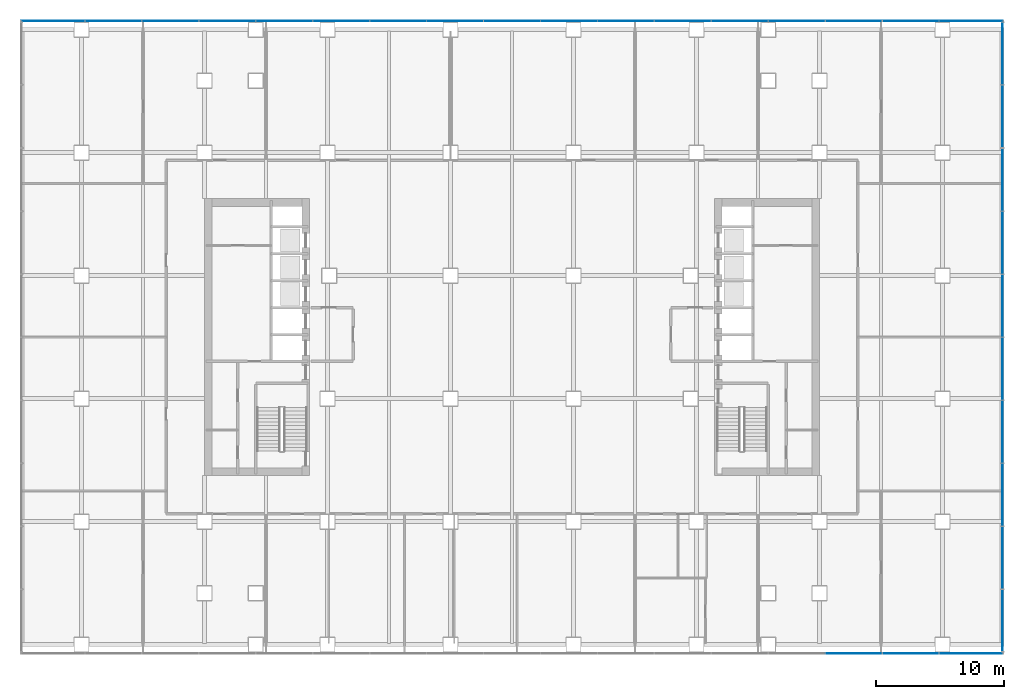
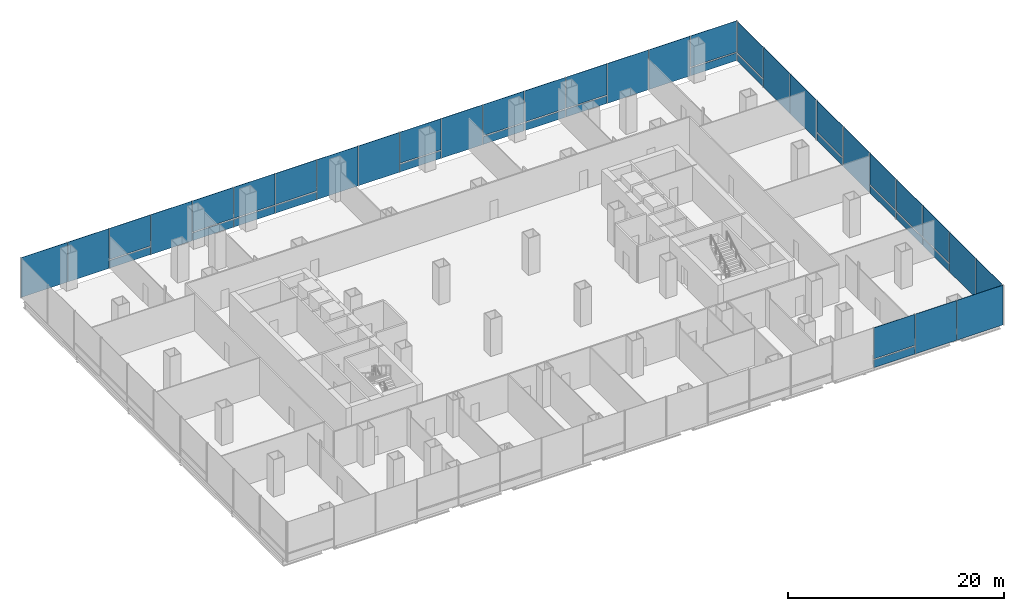
# One storey, part 15 of 23: 45 plates, 3 elements without a shape of their own.
"""IFC4 building model written with IfcOpenShell, lengths in metres."""

from ifc_helpers import new_model, si_unit, direction, frame, origin, origin_2d, place, context, subcontext, project, spatial, rectangle, extrude, material, layer, layer_set, type_object, element, aggregate, save


model = new_model("IFC4")

# Units and contexts
model_context = context("Model", 3, precision=1e-05, world=origin(), true_north=direction((0.0, 1.0)))
body_context = subcontext(model_context, "Body", "Model", "MODEL_VIEW")
ifc_project = project(units=[si_unit("LENGTHUNIT", "METRE"), si_unit("AREAUNIT", "SQUARE_METRE"), si_unit("VOLUMEUNIT", "CUBIC_METRE"), si_unit("PLANEANGLEUNIT", "RADIAN"), si_unit("MASSUNIT", "GRAM", prefix="KILO")], contexts=[model_context])

# Site, building, storey
site_placement = place(None, origin())
site = spatial("IfcSite", under=ifc_project, at=site_placement, CompositionType="ELEMENT")
building_placement = place(site_placement, origin())
building = spatial("IfcBuilding", under=site, at=building_placement, Name="Cobrizo Arcos Hotel Tower", CompositionType="ELEMENT")
storey_placement = place(building_placement, frame((0.0, 0.0, 29.0)))
storey = spatial("IfcBuildingStorey", under=building, at=storey_placement, Name="L05", CompositionType="ELEMENT", Elevation=29.0)

# Curtain wall, plates
ifc_material_1 = material(Name="Aluminium 6063-T6 anodised bronze", Category="aluminium")
curtain_wall_type_1 = type_object("IfcCurtainWallType", Name="CW-A guest facade", PredefinedType="NOTDEFINED", material=ifc_material_1)
curtain_wall_1_placement = place(storey_placement, origin())
curtain_wall_1 = element("IfcCurtainWall", 1, at=curtain_wall_1_placement, inside=storey, type_object=curtain_wall_type_1, Name="CW-A L05 N face", PredefinedType="NOTDEFINED")
ifc_material_2 = material(Name="Glass clear laminated low-e", Category="glass")
ifc_layer_1 = layer(ifc_material_2, 0.0400390625)
ifc_layer_set_1 = layer_set([ifc_layer_1], Name="CW-A glass panel")
plate_type_1 = type_object("IfcPlateType", Name="CW-A glass panel", PredefinedType="CURTAIN_PANEL", material=ifc_layer_set_1)
plate_1_placement = place(storey_placement, frame((35.839111328125, 24.675048828125, 0.990234375), z_axis=(0.0, 0.0, 1.0), x_axis=(-1.0, 0.0, 0.0)))
plate_1 = element("IfcPlate", 2, at=plate_1_placement, type_object=plate_type_1, Name="CW-A glass panel 279", PredefinedType="CURTAIN_PANEL", context=body_context, shape_type="SweptSolid", body=[
    extrude(rectangle(XDim=4.95166015625, YDim=0.0400390625, at=origin_2d()), origin(), (0.0, 0.0, 1.0), 3.510009765625),
])
plate_2_placement = place(storey_placement, frame((22.22216796875, 24.675048828125, 0.990234375), z_axis=(0.0, 0.0, 1.0), x_axis=(-1.0, 0.0, 0.0)))
plate_2 = element("IfcPlate", 3, at=plate_2_placement, type_object=plate_type_1, Name="CW-A glass panel 282", PredefinedType="CURTAIN_PANEL", context=body_context, shape_type="SweptSolid", body=[
    extrude(rectangle(XDim=4.384521484375, YDim=0.0400390625, at=origin_2d()), origin(), (0.0, 0.0, 1.0), 3.510009765625),
])
plate_3_placement = place(storey_placement, frame((-26.666748046875, 24.675048828125, 0.990234375), z_axis=(0.0, 0.0, 1.0), x_axis=(-1.0, 0.0, 0.0)))
plate_3 = element("IfcPlate", 4, at=plate_3_placement, type_object=plate_type_1, Name="CW-A glass panel 293", PredefinedType="CURTAIN_PANEL", context=body_context, shape_type="SweptSolid", body=[
    extrude(rectangle(XDim=4.384521484375, YDim=0.0400390625, at=origin_2d()), origin(), (0.0, 0.0, 1.0), 3.510009765625),
])

# Curtain wall, plate
curtain_wall_2_placement = place(storey_placement, origin())
curtain_wall_2 = element("IfcCurtainWall", 5, at=curtain_wall_2_placement, inside=storey, type_object=curtain_wall_type_1, Name="CW-A L05 S face", PredefinedType="NOTDEFINED")
plate_4_placement = place(storey_placement, frame((26.666748046875, -24.675048828125, 0.990234375), z_axis=(0.0, 0.0, 1.0), x_axis=(1.0, 0.0, 0.0)))
plate_4 = element("IfcPlate", 6, at=plate_4_placement, type_object=plate_type_1, Name="CW-A glass panel 320", PredefinedType="CURTAIN_PANEL", context=body_context, shape_type="SweptSolid", body=[
    extrude(rectangle(XDim=4.384521484375, YDim=0.0400390625, at=origin_2d()), origin(), (0.0, 0.0, 1.0), 3.510009765625),
])

# Plate
ifc_material_3 = material(Name="Aluminium composite panel pale metal", Category="aluminium")
ifc_layer_2 = layer(ifc_material_3, 0.0400390625)
ifc_layer_set_2 = layer_set([ifc_layer_2], Name="CW-A spandrel panel")
plate_type_2 = type_object("IfcPlateType", Name="CW-A spandrel panel", PredefinedType="CURTAIN_PANEL", material=ifc_layer_set_2)
plate_5_placement = place(storey_placement, frame((35.839111328125, 24.675048828125, 0.0), z_axis=(0.0, 0.0, 1.0), x_axis=(-1.0, 0.0, 0.0)))
plate_5 = element("IfcPlate", 7, at=plate_5_placement, type_object=plate_type_2, Name="CW-A spandrel panel 279", PredefinedType="CURTAIN_PANEL", context=body_context, shape_type="SweptSolid", body=[
    extrude(rectangle(XDim=4.95166015625, YDim=0.0400390625, at=origin_2d()), origin(), (0.0, 0.0, 1.0), 0.8701171875),
])

plate_6_placement = place(storey_placement, frame((31.111083984375, 24.675048828125, 0.0), z_axis=(0.0, 0.0, 1.0), x_axis=(-1.0, 0.0, 0.0)))
plate_6 = element("IfcPlate", 8, at=plate_6_placement, type_object=plate_type_2, Name="CW-A spandrel panel 280", PredefinedType="CURTAIN_PANEL", context=body_context, shape_type="SweptSolid", body=[
    extrude(rectangle(XDim=4.384521484375, YDim=0.0400390625, at=origin_2d()), origin(), (0.0, 0.0, 1.0), 4.5),
])

plate_7_placement = place(storey_placement, frame((26.666748046875, 24.675048828125, 0.0), z_axis=(0.0, 0.0, 1.0), x_axis=(-1.0, 0.0, 0.0)))
plate_7 = element("IfcPlate", 9, at=plate_7_placement, type_object=plate_type_2, Name="CW-A spandrel panel 281", PredefinedType="CURTAIN_PANEL", context=body_context, shape_type="SweptSolid", body=[
    extrude(rectangle(XDim=4.384521484375, YDim=0.0400390625, at=origin_2d()), origin(), (0.0, 0.0, 1.0), 4.5),
])

plate_8_placement = place(storey_placement, frame((22.22216796875, 24.675048828125, 0.0), z_axis=(0.0, 0.0, 1.0), x_axis=(-1.0, 0.0, 0.0)))
plate_8 = element("IfcPlate", 10, at=plate_8_placement, type_object=plate_type_2, Name="CW-A spandrel panel 282", PredefinedType="CURTAIN_PANEL", context=body_context, shape_type="SweptSolid", body=[
    extrude(rectangle(XDim=4.384521484375, YDim=0.0400390625, at=origin_2d()), origin(), (0.0, 0.0, 1.0), 0.8701171875),
])

plate_9_placement = place(storey_placement, frame((17.77783203125, 24.675048828125, 0.0), z_axis=(0.0, 0.0, 1.0), x_axis=(-1.0, 0.0, 0.0)))
plate_9 = element("IfcPlate", 11, at=plate_9_placement, type_object=plate_type_2, Name="CW-A spandrel panel 283", PredefinedType="CURTAIN_PANEL", context=body_context, shape_type="SweptSolid", body=[
    extrude(rectangle(XDim=4.384521484375, YDim=0.0400390625, at=origin_2d()), origin(), (0.0, 0.0, 1.0), 0.8701171875),
])

plate_10_placement = place(storey_placement, frame((17.77783203125, 24.675048828125, 0.990234375), z_axis=(0.0, 0.0, 1.0), x_axis=(-1.0, 0.0, 0.0)))
plate_10 = element("IfcPlate", 12, at=plate_10_placement, type_object=plate_type_2, Name="CW-A spandrel panel 283", PredefinedType="CURTAIN_PANEL", context=body_context, shape_type="SweptSolid", body=[
    extrude(rectangle(XDim=4.384521484375, YDim=0.0400390625, at=origin_2d()), origin(), (0.0, 0.0, 1.0), 3.510009765625),
])

plate_11_placement = place(storey_placement, frame((13.333251953125, 24.675048828125, 0.0), z_axis=(0.0, 0.0, 1.0), x_axis=(-1.0, 0.0, 0.0)))
plate_11 = element("IfcPlate", 13, at=plate_11_placement, type_object=plate_type_2, Name="CW-A spandrel panel 284", PredefinedType="CURTAIN_PANEL", context=body_context, shape_type="SweptSolid", body=[
    extrude(rectangle(XDim=4.384521484375, YDim=0.0400390625, at=origin_2d()), origin(), (0.0, 0.0, 1.0), 0.8701171875),
])

plate_12_placement = place(storey_placement, frame((13.333251953125, 24.675048828125, 0.990234375), z_axis=(0.0, 0.0, 1.0), x_axis=(-1.0, 0.0, 0.0)))
plate_12 = element("IfcPlate", 14, at=plate_12_placement, type_object=plate_type_2, Name="CW-A spandrel panel 284", PredefinedType="CURTAIN_PANEL", context=body_context, shape_type="SweptSolid", body=[
    extrude(rectangle(XDim=4.384521484375, YDim=0.0400390625, at=origin_2d()), origin(), (0.0, 0.0, 1.0), 3.510009765625),
])

plate_13_placement = place(storey_placement, frame((8.888916015625, 24.675048828125, 0.0), z_axis=(0.0, 0.0, 1.0), x_axis=(-1.0, 0.0, 0.0)))
plate_13 = element("IfcPlate", 15, at=plate_13_placement, type_object=plate_type_2, Name="CW-A spandrel panel 285", PredefinedType="CURTAIN_PANEL", context=body_context, shape_type="SweptSolid", body=[
    extrude(rectangle(XDim=4.384521484375, YDim=0.0400390625, at=origin_2d()), origin(), (0.0, 0.0, 1.0), 4.5),
])

plate_14_placement = place(storey_placement, frame((4.4443359375, 24.675048828125, 0.0), z_axis=(0.0, 0.0, 1.0), x_axis=(-1.0, 0.0, 0.0)))
plate_14 = element("IfcPlate", 16, at=plate_14_placement, type_object=plate_type_2, Name="CW-A spandrel panel 286", PredefinedType="CURTAIN_PANEL", context=body_context, shape_type="SweptSolid", body=[
    extrude(rectangle(XDim=4.384521484375, YDim=0.0400390625, at=origin_2d()), origin(), (0.0, 0.0, 1.0), 0.8701171875),
])

plate_15_placement = place(storey_placement, frame((4.4443359375, 24.675048828125, 0.990234375), z_axis=(0.0, 0.0, 1.0), x_axis=(-1.0, 0.0, 0.0)))
plate_15 = element("IfcPlate", 17, at=plate_15_placement, type_object=plate_type_2, Name="CW-A spandrel panel 286", PredefinedType="CURTAIN_PANEL", context=body_context, shape_type="SweptSolid", body=[
    extrude(rectangle(XDim=4.384521484375, YDim=0.0400390625, at=origin_2d()), origin(), (0.0, 0.0, 1.0), 3.510009765625),
])

plate_16_placement = place(storey_placement, frame((0.0, 24.675048828125, 0.0), z_axis=(0.0, 0.0, 1.0), x_axis=(-1.0, 0.0, 0.0)))
plate_16 = element("IfcPlate", 18, at=plate_16_placement, type_object=plate_type_2, Name="CW-A spandrel panel 287", PredefinedType="CURTAIN_PANEL", context=body_context, shape_type="SweptSolid", body=[
    extrude(rectangle(XDim=4.384521484375, YDim=0.0400390625, at=origin_2d()), origin(), (0.0, 0.0, 1.0), 4.5),
])

plate_17_placement = place(storey_placement, frame((-4.4443359375, 24.675048828125, 0.0), z_axis=(0.0, 0.0, 1.0), x_axis=(-1.0, 0.0, 0.0)))
plate_17 = element("IfcPlate", 19, at=plate_17_placement, type_object=plate_type_2, Name="CW-A spandrel panel 288", PredefinedType="CURTAIN_PANEL", context=body_context, shape_type="SweptSolid", body=[
    extrude(rectangle(XDim=4.384521484375, YDim=0.0400390625, at=origin_2d()), origin(), (0.0, 0.0, 1.0), 4.5),
])

plate_18_placement = place(storey_placement, frame((-8.888916015625, 24.675048828125, 0.0), z_axis=(0.0, 0.0, 1.0), x_axis=(-1.0, 0.0, 0.0)))
plate_18 = element("IfcPlate", 20, at=plate_18_placement, type_object=plate_type_2, Name="CW-A spandrel panel 289", PredefinedType="CURTAIN_PANEL", context=body_context, shape_type="SweptSolid", body=[
    extrude(rectangle(XDim=4.384521484375, YDim=0.0400390625, at=origin_2d()), origin(), (0.0, 0.0, 1.0), 0.8701171875),
])

plate_19_placement = place(storey_placement, frame((-8.888916015625, 24.675048828125, 0.990234375), z_axis=(0.0, 0.0, 1.0), x_axis=(-1.0, 0.0, 0.0)))
plate_19 = element("IfcPlate", 21, at=plate_19_placement, type_object=plate_type_2, Name="CW-A spandrel panel 289", PredefinedType="CURTAIN_PANEL", context=body_context, shape_type="SweptSolid", body=[
    extrude(rectangle(XDim=4.384521484375, YDim=0.0400390625, at=origin_2d()), origin(), (0.0, 0.0, 1.0), 3.510009765625),
])

plate_20_placement = place(storey_placement, frame((-13.333251953125, 24.675048828125, 0.0), z_axis=(0.0, 0.0, 1.0), x_axis=(-1.0, 0.0, 0.0)))
plate_20 = element("IfcPlate", 22, at=plate_20_placement, type_object=plate_type_2, Name="CW-A spandrel panel 290", PredefinedType="CURTAIN_PANEL", context=body_context, shape_type="SweptSolid", body=[
    extrude(rectangle(XDim=4.384521484375, YDim=0.0400390625, at=origin_2d()), origin(), (0.0, 0.0, 1.0), 0.8701171875),
])

plate_21_placement = place(storey_placement, frame((-13.333251953125, 24.675048828125, 0.990234375), z_axis=(0.0, 0.0, 1.0), x_axis=(-1.0, 0.0, 0.0)))
plate_21 = element("IfcPlate", 23, at=plate_21_placement, type_object=plate_type_2, Name="CW-A spandrel panel 290", PredefinedType="CURTAIN_PANEL", context=body_context, shape_type="SweptSolid", body=[
    extrude(rectangle(XDim=4.384521484375, YDim=0.0400390625, at=origin_2d()), origin(), (0.0, 0.0, 1.0), 3.510009765625),
])

plate_22_placement = place(storey_placement, frame((-17.77783203125, 24.675048828125, 0.0), z_axis=(0.0, 0.0, 1.0), x_axis=(-1.0, 0.0, 0.0)))
plate_22 = element("IfcPlate", 24, at=plate_22_placement, type_object=plate_type_2, Name="CW-A spandrel panel 291", PredefinedType="CURTAIN_PANEL", context=body_context, shape_type="SweptSolid", body=[
    extrude(rectangle(XDim=4.384521484375, YDim=0.0400390625, at=origin_2d()), origin(), (0.0, 0.0, 1.0), 0.8701171875),
])

plate_23_placement = place(storey_placement, frame((-17.77783203125, 24.675048828125, 0.990234375), z_axis=(0.0, 0.0, 1.0), x_axis=(-1.0, 0.0, 0.0)))
plate_23 = element("IfcPlate", 25, at=plate_23_placement, type_object=plate_type_2, Name="CW-A spandrel panel 291", PredefinedType="CURTAIN_PANEL", context=body_context, shape_type="SweptSolid", body=[
    extrude(rectangle(XDim=4.384521484375, YDim=0.0400390625, at=origin_2d()), origin(), (0.0, 0.0, 1.0), 3.510009765625),
])

plate_24_placement = place(storey_placement, frame((-22.22216796875, 24.675048828125, 0.0), z_axis=(0.0, 0.0, 1.0), x_axis=(-1.0, 0.0, 0.0)))
plate_24 = element("IfcPlate", 26, at=plate_24_placement, type_object=plate_type_2, Name="CW-A spandrel panel 292", PredefinedType="CURTAIN_PANEL", context=body_context, shape_type="SweptSolid", body=[
    extrude(rectangle(XDim=4.384521484375, YDim=0.0400390625, at=origin_2d()), origin(), (0.0, 0.0, 1.0), 4.5),
])

plate_25_placement = place(storey_placement, frame((-26.666748046875, 24.675048828125, 0.0), z_axis=(0.0, 0.0, 1.0), x_axis=(-1.0, 0.0, 0.0)))
plate_25 = element("IfcPlate", 27, at=plate_25_placement, type_object=plate_type_2, Name="CW-A spandrel panel 293", PredefinedType="CURTAIN_PANEL", context=body_context, shape_type="SweptSolid", body=[
    extrude(rectangle(XDim=4.384521484375, YDim=0.0400390625, at=origin_2d()), origin(), (0.0, 0.0, 1.0), 0.8701171875),
])

plate_26_placement = place(storey_placement, frame((-31.111083984375, 24.675048828125, 0.0), z_axis=(0.0, 0.0, 1.0), x_axis=(-1.0, 0.0, 0.0)))
plate_26 = element("IfcPlate", 28, at=plate_26_placement, type_object=plate_type_2, Name="CW-A spandrel panel 294", PredefinedType="CURTAIN_PANEL", context=body_context, shape_type="SweptSolid", body=[
    extrude(rectangle(XDim=4.384521484375, YDim=0.0400390625, at=origin_2d()), origin(), (0.0, 0.0, 1.0), 4.5),
])

plate_27_placement = place(storey_placement, frame((-35.839111328125, 24.675048828125, 0.0), z_axis=(0.0, 0.0, 1.0), x_axis=(-1.0, 0.0, 0.0)))
plate_27 = element("IfcPlate", 29, at=plate_27_placement, type_object=plate_type_2, Name="CW-A spandrel panel 295", PredefinedType="CURTAIN_PANEL", context=body_context, shape_type="SweptSolid", body=[
    extrude(rectangle(XDim=4.95166015625, YDim=0.0400390625, at=origin_2d()), origin(), (0.0, 0.0, 1.0), 4.5),
])

aggregate(curtain_wall_1, [plate_5, plate_1, plate_6, plate_7, plate_8, plate_2, plate_9, plate_10, plate_11, plate_12, plate_13, plate_14, plate_15, plate_16, plate_17, plate_18, plate_19, plate_20, plate_21, plate_22, plate_23, plate_24, plate_25, plate_3, plate_26, plate_27])

plate_28_placement = place(storey_placement, frame((26.666748046875, -24.675048828125, 0.0), z_axis=(0.0, 0.0, 1.0), x_axis=(1.0, 0.0, 0.0)))
plate_28 = element("IfcPlate", 30, at=plate_28_placement, type_object=plate_type_2, Name="CW-A spandrel panel 320", PredefinedType="CURTAIN_PANEL", context=body_context, shape_type="SweptSolid", body=[
    extrude(rectangle(XDim=4.384521484375, YDim=0.0400390625, at=origin_2d()), origin(), (0.0, 0.0, 1.0), 0.8701171875),
])

plate_29_placement = place(storey_placement, frame((31.111083984375, -24.675048828125, 0.0), z_axis=(0.0, 0.0, 1.0), x_axis=(1.0, 0.0, 0.0)))
plate_29 = element("IfcPlate", 31, at=plate_29_placement, type_object=plate_type_2, Name="CW-A spandrel panel 321", PredefinedType="CURTAIN_PANEL", context=body_context, shape_type="SweptSolid", body=[
    extrude(rectangle(XDim=4.384521484375, YDim=0.0400390625, at=origin_2d()), origin(), (0.0, 0.0, 1.0), 4.5),
])

plate_30_placement = place(storey_placement, frame((35.839111328125, -24.675048828125, 0.0), z_axis=(0.0, 0.0, 1.0), x_axis=(1.0, 0.0, 0.0)))
plate_30 = element("IfcPlate", 32, at=plate_30_placement, type_object=plate_type_2, Name="CW-A spandrel panel 322", PredefinedType="CURTAIN_PANEL", context=body_context, shape_type="SweptSolid", body=[
    extrude(rectangle(XDim=4.95166015625, YDim=0.0400390625, at=origin_2d()), origin(), (0.0, 0.0, 1.0), 4.5),
])

aggregate(curtain_wall_2, [plate_28, plate_4, plate_29, plate_30])

# Curtain wall, plates
curtain_wall_type_2 = type_object("IfcCurtainWallType", Name="CW-B podium glazing", PredefinedType="NOTDEFINED", material=ifc_material_1)
curtain_wall_3_placement = place(storey_placement, origin())
curtain_wall_3 = element("IfcCurtainWall", 33, at=curtain_wall_3_placement, inside=storey, type_object=curtain_wall_type_2, Name="CW-B L05 E face", PredefinedType="NOTDEFINED")
ifc_layer_3 = layer(ifc_material_2, 0.0400390625)
ifc_layer_set_3 = layer_set([ifc_layer_3], Name="CW-B glass panel")
plate_type_3 = type_object("IfcPlateType", Name="CW-B glass panel", PredefinedType="CURTAIN_PANEL", material=ifc_layer_set_3)
plate_31_placement = place(storey_placement, frame((38.300048828125, -12.300048828125, 0.97998046875), z_axis=(0.0, 0.0, 1.0), x_axis=(0.0, 1.0, 0.0)))
plate_31 = element("IfcPlate", 34, at=plate_31_placement, type_object=plate_type_3, Name="CW-B glass panel 271", PredefinedType="CURTAIN_PANEL", context=body_context, shape_type="SweptSolid", body=[
    extrude(rectangle(XDim=4.840087890625, YDim=0.0400390625, at=origin_2d()), origin(), (0.0, 0.0, 1.0), 3.52001953125),
])
plate_32_placement = place(storey_placement, frame((38.300048828125, -7.3798828125, 0.97998046875), z_axis=(0.0, 0.0, 1.0), x_axis=(0.0, 1.0, 0.0)))
plate_32 = element("IfcPlate", 35, at=plate_32_placement, type_object=plate_type_3, Name="CW-B glass panel 272", PredefinedType="CURTAIN_PANEL", context=body_context, shape_type="SweptSolid", body=[
    extrude(rectangle(XDim=4.840087890625, YDim=0.0400390625, at=origin_2d()), origin(), (0.0, 0.0, 1.0), 3.52001953125),
])
plate_33_placement = place(storey_placement, frame((38.300048828125, -2.4599609375, 0.97998046875), z_axis=(0.0, 0.0, 1.0), x_axis=(0.0, 1.0, 0.0)))
plate_33 = element("IfcPlate", 36, at=plate_33_placement, type_object=plate_type_3, Name="CW-B glass panel 273", PredefinedType="CURTAIN_PANEL", context=body_context, shape_type="SweptSolid", body=[
    extrude(rectangle(XDim=4.840087890625, YDim=0.0400390625, at=origin_2d()), origin(), (0.0, 0.0, 1.0), 3.52001953125),
])
plate_34_placement = place(storey_placement, frame((38.300048828125, 7.3798828125, 0.97998046875), z_axis=(0.0, 0.0, 1.0), x_axis=(0.0, 1.0, 0.0)))
plate_34 = element("IfcPlate", 37, at=plate_34_placement, type_object=plate_type_3, Name="CW-B glass panel 275", PredefinedType="CURTAIN_PANEL", context=body_context, shape_type="SweptSolid", body=[
    extrude(rectangle(XDim=4.840087890625, YDim=0.0400390625, at=origin_2d()), origin(), (0.0, 0.0, 1.0), 3.52001953125),
])
plate_35_placement = place(storey_placement, frame((38.300048828125, 22.1201171875, 0.97998046875), z_axis=(0.0, 0.0, 1.0), x_axis=(0.0, 1.0, 0.0)))
plate_35 = element("IfcPlate", 38, at=plate_35_placement, type_object=plate_type_3, Name="CW-B glass panel 278", PredefinedType="CURTAIN_PANEL", context=body_context, shape_type="SweptSolid", body=[
    extrude(rectangle(XDim=4.800048828125, YDim=0.0400390625, at=origin_2d()), origin(), (0.0, 0.0, 1.0), 3.52001953125),
])
ifc_layer_4 = layer(ifc_material_3, 0.06005859375)
ifc_layer_set_4 = layer_set([ifc_layer_4], Name="CW-B spandrel panel")
plate_type_4 = type_object("IfcPlateType", Name="CW-B spandrel panel", PredefinedType="CURTAIN_PANEL", material=ifc_layer_set_4)
plate_36_placement = place(storey_placement, frame((38.300048828125, -22.1201171875, 0.0), z_axis=(0.0, 0.0, 1.0), x_axis=(0.0, 1.0, 0.0)))
plate_36 = element("IfcPlate", 39, at=plate_36_placement, type_object=plate_type_4, Name="CW-B spandrel panel 269", PredefinedType="CURTAIN_PANEL", context=body_context, shape_type="SweptSolid", body=[
    extrude(rectangle(XDim=4.800048828125, YDim=0.0400390625, at=origin_2d()), origin(), (0.0, 0.0, 1.0), 4.5),
])
plate_37_placement = place(storey_placement, frame((38.300048828125, -17.219970703125, 0.0), z_axis=(0.0, 0.0, 1.0), x_axis=(0.0, 1.0, 0.0)))
plate_37 = element("IfcPlate", 40, at=plate_37_placement, type_object=plate_type_4, Name="CW-B spandrel panel 270", PredefinedType="CURTAIN_PANEL", context=body_context, shape_type="SweptSolid", body=[
    extrude(rectangle(XDim=4.840087890625, YDim=0.0400390625, at=origin_2d()), origin(), (0.0, 0.0, 1.0), 4.5),
])
plate_38_placement = place(storey_placement, frame((38.300048828125, -12.300048828125, 0.0), z_axis=(0.0, 0.0, 1.0), x_axis=(0.0, 1.0, 0.0)))
plate_38 = element("IfcPlate", 41, at=plate_38_placement, type_object=plate_type_4, Name="CW-B spandrel panel 271", PredefinedType="CURTAIN_PANEL", context=body_context, shape_type="SweptSolid", body=[
    extrude(rectangle(XDim=4.840087890625, YDim=0.0400390625, at=origin_2d()), origin(), (0.0, 0.0, 1.0), 0.820068359375),
])
plate_39_placement = place(storey_placement, frame((38.300048828125, -7.3798828125, 0.0), z_axis=(0.0, 0.0, 1.0), x_axis=(0.0, 1.0, 0.0)))
plate_39 = element("IfcPlate", 42, at=plate_39_placement, type_object=plate_type_4, Name="CW-B spandrel panel 272", PredefinedType="CURTAIN_PANEL", context=body_context, shape_type="SweptSolid", body=[
    extrude(rectangle(XDim=4.840087890625, YDim=0.0400390625, at=origin_2d()), origin(), (0.0, 0.0, 1.0), 0.820068359375),
])
plate_40_placement = place(storey_placement, frame((38.300048828125, -2.4599609375, 0.0), z_axis=(0.0, 0.0, 1.0), x_axis=(0.0, 1.0, 0.0)))
plate_40 = element("IfcPlate", 43, at=plate_40_placement, type_object=plate_type_4, Name="CW-B spandrel panel 273", PredefinedType="CURTAIN_PANEL", context=body_context, shape_type="SweptSolid", body=[
    extrude(rectangle(XDim=4.840087890625, YDim=0.0400390625, at=origin_2d()), origin(), (0.0, 0.0, 1.0), 0.820068359375),
])
plate_41_placement = place(storey_placement, frame((38.300048828125, 2.4599609375, 0.0), z_axis=(0.0, 0.0, 1.0), x_axis=(0.0, 1.0, 0.0)))
plate_41 = element("IfcPlate", 44, at=plate_41_placement, type_object=plate_type_4, Name="CW-B spandrel panel 274", PredefinedType="CURTAIN_PANEL", context=body_context, shape_type="SweptSolid", body=[
    extrude(rectangle(XDim=4.840087890625, YDim=0.0400390625, at=origin_2d()), origin(), (0.0, 0.0, 1.0), 4.5),
])
plate_42_placement = place(storey_placement, frame((38.300048828125, 7.3798828125, 0.0), z_axis=(0.0, 0.0, 1.0), x_axis=(0.0, 1.0, 0.0)))
plate_42 = element("IfcPlate", 45, at=plate_42_placement, type_object=plate_type_4, Name="CW-B spandrel panel 275", PredefinedType="CURTAIN_PANEL", context=body_context, shape_type="SweptSolid", body=[
    extrude(rectangle(XDim=4.840087890625, YDim=0.0400390625, at=origin_2d()), origin(), (0.0, 0.0, 1.0), 0.820068359375),
])
plate_43_placement = place(storey_placement, frame((38.300048828125, 12.300048828125, 0.0), z_axis=(0.0, 0.0, 1.0), x_axis=(0.0, 1.0, 0.0)))
plate_43 = element("IfcPlate", 46, at=plate_43_placement, type_object=plate_type_4, Name="CW-B spandrel panel 276", PredefinedType="CURTAIN_PANEL", context=body_context, shape_type="SweptSolid", body=[
    extrude(rectangle(XDim=4.840087890625, YDim=0.0400390625, at=origin_2d()), origin(), (0.0, 0.0, 1.0), 4.5),
])
plate_44_placement = place(storey_placement, frame((38.300048828125, 17.219970703125, 0.0), z_axis=(0.0, 0.0, 1.0), x_axis=(0.0, 1.0, 0.0)))
plate_44 = element("IfcPlate", 47, at=plate_44_placement, type_object=plate_type_4, Name="CW-B spandrel panel 277", PredefinedType="CURTAIN_PANEL", context=body_context, shape_type="SweptSolid", body=[
    extrude(rectangle(XDim=4.840087890625, YDim=0.0400390625, at=origin_2d()), origin(), (0.0, 0.0, 1.0), 4.5),
])
plate_45_placement = place(storey_placement, frame((38.300048828125, 22.1201171875, 0.0), z_axis=(0.0, 0.0, 1.0), x_axis=(0.0, 1.0, 0.0)))
plate_45 = element("IfcPlate", 48, at=plate_45_placement, type_object=plate_type_4, Name="CW-B spandrel panel 278", PredefinedType="CURTAIN_PANEL", context=body_context, shape_type="SweptSolid", body=[
    extrude(rectangle(XDim=4.800048828125, YDim=0.0400390625, at=origin_2d()), origin(), (0.0, 0.0, 1.0), 0.820068359375),
])
aggregate(curtain_wall_3, [plate_36, plate_37, plate_38, plate_31, plate_39, plate_32, plate_40, plate_33, plate_41, plate_42, plate_34, plate_43, plate_44, plate_45, plate_35])

save(model, "model.ifc")
